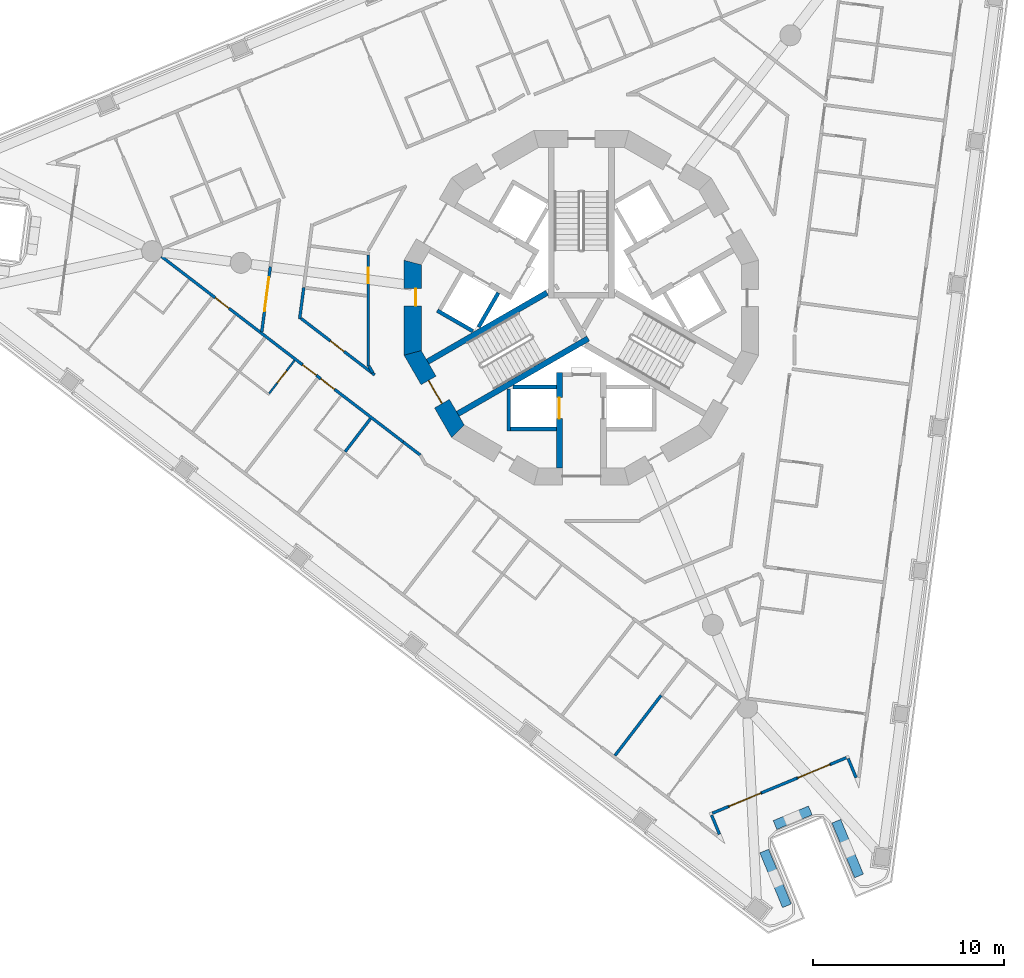
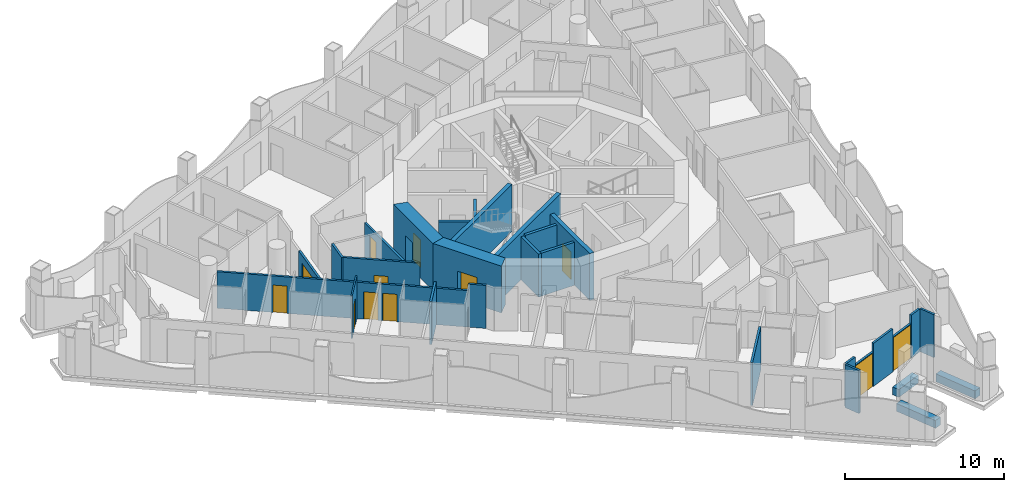
# One storey, part 3 of 17: 30 walls, 12 doors, 12 openings.
"""IFC4 building model written with IfcOpenShell, lengths in metres."""

import ifcopenshell
import ifcopenshell.guid

model = None  # the IFC model being written
_history = None  # IfcOwnerHistory: only IFC2X3 demands one
_inside = {}  # id of a spatial element -> (the spatial element, [elements in it])
_under = {}  # id of a project, library or spatial element -> (it, [spatial elements below it])
_declared = {}  # id of a project -> (the project, [libraries it declares])
_typed = {}  # id of a type object -> (the type object, [elements of that type])
_made_of = {}  # id of a material, layer set ... -> (it, [elements and type objects made of it])


def new_model(schema):
    """Start an empty IFC model of exactly this schema.

    Asked for "IFC4X3", IfcOpenShell would pick the latest addendum, in which some entities
    have other attributes; the version numbers below select the first issue.
    IFC2X3 requires an IfcOwnerHistory on every rooted entity: one is made here for all.
    """
    global model, _history
    if schema == "IFC4X3":
        model = ifcopenshell.file(schema_version=(4, 3, 0, 0))
    else:
        model = ifcopenshell.file(schema=schema)
    _inside.clear()
    _under.clear()
    _declared.clear()
    _typed.clear()
    _made_of.clear()
    _history = None
    if model.schema == "IFC2X3":
        org = make("IfcOrganization", Name="unknown")
        user = make(
            "IfcPersonAndOrganization",
            ThePerson=make("IfcPerson", FamilyName="unknown"),
            TheOrganization=org,
        )
        app = make(
            "IfcApplication",
            ApplicationDeveloper=org,
            Version="unknown",
            ApplicationFullName="unknown",
            ApplicationIdentifier="unknown",
        )
        _history = make(
            "IfcOwnerHistory",
            OwningUser=user,
            OwningApplication=app,
            ChangeAction="ADDED",
            CreationDate=0,
        )
    return model


def make(cls, **values):
    """One entity of the class cls with the attributes given. An attribute that is None is left unset."""
    return model.create_entity(
        cls, **{name: value for name, value in values.items() if value is not None}
    )


def rooted(cls, **values):
    """An entity with a GlobalId (a new one), such as an element, a storey or a relation."""
    return make(cls, GlobalId=ifcopenshell.guid.new(), OwnerHistory=_history, **values)


def si_unit(unit_type, name, prefix=None):
    """IfcSIUnit, for example si_unit("LENGTHUNIT", "METRE", prefix="MILLI")."""
    return make("IfcSIUnit", UnitType=unit_type, Prefix=prefix, Name=name)


def assignment(units):
    """IfcUnitAssignment: the units of a project."""
    return None if units is None else make("IfcUnitAssignment", Units=units)


def point(xyz):
    """IfcCartesianPoint."""
    return None if xyz is None else make("IfcCartesianPoint", Coordinates=xyz)


def direction(xyz):
    """IfcDirection."""
    return None if xyz is None else make("IfcDirection", DirectionRatios=xyz)


def frame(location, z_axis=None, x_axis=None):
    """IfcAxis2Placement3D, a coordinate frame: its origin and axes. An axis left out is left unset."""
    return make(
        "IfcAxis2Placement3D",
        Location=point(location),
        Axis=direction(z_axis),
        RefDirection=direction(x_axis),
    )


def frame_2d(location, x_axis=None):
    """IfcAxis2Placement2D, a coordinate frame in the plane: its origin and x axis."""
    return make(
        "IfcAxis2Placement2D", Location=point(location), RefDirection=direction(x_axis)
    )


def origin():
    """The frame at (0, 0, 0) with its axes left unset."""
    return frame((0.0, 0.0, 0.0))


def place(relative_to, where):
    """IfcLocalPlacement: puts the frame where relative to a parent placement (None: the world)."""
    return make(
        "IfcLocalPlacement", PlacementRelTo=relative_to, RelativePlacement=where
    )


def context(
    kind, dimensions, precision=None, world=None, true_north=None, identifier=None
):
    """IfcGeometricRepresentationContext, for example the 3D "Model" context."""
    return make(
        "IfcGeometricRepresentationContext",
        ContextIdentifier=identifier,
        ContextType=kind,
        CoordinateSpaceDimension=dimensions,
        Precision=precision,
        WorldCoordinateSystem=world,
        TrueNorth=true_north,
    )


def subcontext(parent, identifier, kind, view, scale=None):
    """IfcGeometricRepresentationSubContext, for example "Body" below "Model"."""
    return make(
        "IfcGeometricRepresentationSubContext",
        ContextIdentifier=identifier,
        ContextType=kind,
        ParentContext=parent,
        TargetScale=scale,
        TargetView=view,
    )


def project(units=None, contexts=None):
    """IfcProject with its units and contexts."""
    return rooted(
        "IfcProject",
        Name="project",
        RepresentationContexts=contexts,
        UnitsInContext=assignment(units),
    )


def spatial(cls, under=None, at=None, **own):
    """A site, building, storey or space (cls), placed at a placement, below another one or the project."""
    s = rooted(cls, ObjectPlacement=at, **own)
    if under is not None:
        _under.setdefault(under.id(), (under, []))[1].append(s)
    return s


def polyline(points):
    """IfcPolyline through the points."""
    return make("IfcPolyline", Points=[point(p) for p in points])


def profile(cls, at=None, kind="AREA", **sizes):
    """A parametric profile (cls). Its sizes go by their IFC names, for example OverallWidth=200.0."""
    return make(cls, ProfileType=kind, Position=at, **sizes)


def rectangle(**sizes):
    """IfcRectangleProfileDef."""
    return profile("IfcRectangleProfileDef", **sizes)


def outline(outer, holes=None, kind="AREA"):
    """IfcArbitraryClosedProfileDef: a profile drawn as a closed curve; with holes, ...WithVoids."""
    if holes is None:
        return make("IfcArbitraryClosedProfileDef", ProfileType=kind, OuterCurve=outer)
    return make(
        "IfcArbitraryProfileDefWithVoids",
        ProfileType=kind,
        OuterCurve=outer,
        InnerCurves=holes,
    )


def extrude(swept, where, along, depth):
    """IfcExtrudedAreaSolid: the profile swept, set in the frame where, extruded along a direction by depth."""
    return make(
        "IfcExtrudedAreaSolid",
        SweptArea=swept,
        Position=where,
        ExtrudedDirection=direction(along),
        Depth=depth,
    )


def shape(context_of_items, identifier, shape_type, items):
    """IfcShapeRepresentation: the items that make up one representation, for example the "Body"."""
    return make(
        "IfcShapeRepresentation",
        ContextOfItems=context_of_items,
        RepresentationIdentifier=identifier,
        RepresentationType=shape_type,
        Items=items,
    )


def material(Name=None, Category=None):
    """IfcMaterial."""
    return make("IfcMaterial", Name=Name, Category=Category)


def layer(
    of_material, thickness, ventilated=None, Name=None, Category=None, Priority=None
):
    """IfcMaterialLayer: one layer of a wall or slab, of a material (None: an air gap)."""
    return make(
        "IfcMaterialLayer",
        Material=of_material,
        LayerThickness=thickness,
        IsVentilated=ventilated,
        Name=Name,
        Category=Category,
        Priority=Priority,
    )


def layer_set(layers, Name=None):
    """IfcMaterialLayerSet."""
    return make("IfcMaterialLayerSet", MaterialLayers=layers, LayerSetName=Name)


def made_of(thing, what):
    """Note that an element or type object is made of a material, layer set ...; save() writes the relation."""
    if what is not None:
        _made_of.setdefault(what.id(), (what, []))[1].append(thing)
    return thing


def type_object(cls, material=None, **own):
    """A type object (cls), such as IfcWallType, which elements share."""
    return made_of(rooted(cls, **own), material)


def element(
    cls,
    number,
    at=None,
    inside=None,
    cuts=None,
    type_object=None,
    material=None,
    context=None,
    identifier="Body",
    shape_type=None,
    held_by="IfcProductDefinitionShape",
    body=None,
    shapes=None,
    **own,
):
    """One element of the class cls, such as IfcWall. Its Tag is "e" and its number.

    at: its placement. inside: the storey or other place that contains it. cuts: it is an
    opening in that element (IfcRelVoidsElement). A single representation is given by context,
    identifier, shape_type and body (its items); several are given by shapes. held_by: the class
    of the entity that holds the representations. save() writes the other relations.
    """
    e = rooted(cls, Tag="e%d" % number, ObjectPlacement=at, **own)
    if body is not None:
        shapes = [shape(context, identifier, shape_type, body)]
    if shapes is not None:
        e.Representation = make(held_by, Representations=shapes)
    if inside is not None:
        _inside.setdefault(inside.id(), (inside, []))[1].append(e)
    if cuts is not None:
        rooted(
            "IfcRelVoidsElement", RelatingBuildingElement=cuts, RelatedOpeningElement=e
        )
    if type_object is not None:
        _typed.setdefault(type_object.id(), (type_object, []))[1].append(e)
    return made_of(e, material)


def fill(opening, filler):
    """IfcRelFillsElement: the door or window that sits in an opening."""
    return rooted(
        "IfcRelFillsElement",
        RelatingOpeningElement=opening,
        RelatedBuildingElement=filler,
    )


def aggregate(whole, parts):
    """IfcRelAggregates: a whole, such as a stair, and the parts it consists of."""
    return rooted("IfcRelAggregates", RelatingObject=whole, RelatedObjects=parts)


def save(model, path):
    """Write the relations noted so far, then the file.

    IfcRelAggregates (storeys below a building ...), IfcRelContainedInSpatialStructure (elements
    in a storey), IfcRelDefinesByType, IfcRelAssociatesMaterial and IfcRelDeclares: one each for
    every whole, place, type object, material and project.
    """
    for whole, parts in _under.values():
        aggregate(whole, parts)
    for where, things in _inside.values():
        rooted(
            "IfcRelContainedInSpatialStructure",
            RelatedElements=things,
            RelatingStructure=where,
        )
    for kind, things in _typed.values():
        rooted("IfcRelDefinesByType", RelatedObjects=things, RelatingType=kind)
    for what, things in _made_of.values():
        rooted("IfcRelAssociatesMaterial", RelatedObjects=things, RelatingMaterial=what)
    for by, libraries in _declared.values():
        rooted("IfcRelDeclares", RelatingContext=by, RelatedDefinitions=libraries)
    model.write(path)


model = new_model("IFC4")

# Units and contexts
model_context = context("Model", 3, precision=1e-05, world=origin(), true_north=direction((0.0, 1.0)))
body_context = subcontext(model_context, "Body", "Model", "MODEL_VIEW")
ifc_project = project(units=[si_unit("LENGTHUNIT", "METRE"), si_unit("AREAUNIT", "SQUARE_METRE"), si_unit("VOLUMEUNIT", "CUBIC_METRE"), si_unit("PLANEANGLEUNIT", "RADIAN"), si_unit("MASSUNIT", "GRAM", prefix="KILO")], contexts=[model_context])

# Site, building, storey
site_placement = place(None, origin())
site = spatial("IfcSite", under=ifc_project, at=site_placement, CompositionType="ELEMENT")
building_placement = place(site_placement, origin())
building = spatial("IfcBuilding", under=site, at=building_placement, Name="Trine Commons Tower", CompositionType="ELEMENT")
storey_placement = place(building_placement, frame((0.0, 0.0, 135.0)))
storey = spatial("IfcBuildingStorey", under=building, at=storey_placement, Name="L34", CompositionType="ELEMENT", Elevation=135.0)

# Walls
ifc_material_1 = material(Name="Aluminium-framed insulated wall panel", Category="aluminium")
ifc_layer_1 = layer(ifc_material_1, 0.14990234375)
ifc_layer_set_1 = layer_set([ifc_layer_1], Name="Aluminium-framed insulated wall panel")
wall_type_1 = type_object("IfcWallType", Name="Glazed frame wall 150, EI 60", PredefinedType="SOLIDWALL", material=ifc_layer_set_1)
wall_1_placement = place(storey_placement, frame((94.42041015625, 37.78564453125, 0.0), z_axis=(0.0, 0.0, 1.0), x_axis=(-0.382629665579, 0.923901801611, 0.0)))
element("IfcWall", 1, at=wall_1_placement, inside=storey, type_object=wall_type_1, Name="Glazed frame wall R9", PredefinedType="SOLIDWALL", context=body_context, shape_type="SweptSolid", body=[
    extrude(outline(polyline([(0.1494140625, 0.074951171875), (0.1494140625, -0.074951171875), (1.235107421875, -0.074951171875), (1.235107421875, 0.074951171875), (0.1494140625, 0.074951171875)])), origin(), (0.0, 0.0, 1.0), 3.300048828125),
])
wall_2_placement = place(storey_placement, frame((93.951416015625, 39.009521484375, 0.0), z_axis=(0.0, 0.0, 1.0), x_axis=(-0.923826362943, -0.382811769845, 0.0)))
element("IfcWall", 2, at=wall_2_placement, inside=storey, type_object=wall_type_1, Name="Glazed frame wall P3.1", PredefinedType="SOLIDWALL", context=body_context, shape_type="SweptSolid", body=[
    extrude(outline(polyline([(0.110107421875, -0.074951171875), (1.0, -0.074951171875), (1.0, 0.074951171875), (0.110107421875, 0.074951171875), (0.110107421875, -0.074951171875)])), origin(), (0.0, 0.0, 1.0), 3.300048828125),
])

# Wall, opening, door
wall_3_placement = place(storey_placement, frame((93.027587890625, 38.626708984375, 0.0), z_axis=(0.0, 0.0, 1.0), x_axis=(-0.923888414498, -0.382661988648, 0.0)))
wall_3 = element("IfcWall", 3, at=wall_3_placement, inside=storey, type_object=wall_type_1, Name="Glazed frame wall P3.2", PredefinedType="SOLIDWALL", context=body_context, shape_type="SweptSolid", body=[
    extrude(outline(polyline([(0.0, -0.074951171875), (1.89990234375, -0.074951171875), (1.89990234375, 0.074951171875), (0.0, 0.074951171875), (0.0, -0.074951171875)])), origin(), (0.0, 0.0, 1.0), 2.64990234375),
])
opening_1_placement = place(wall_3_placement, frame((0.050048828125, 0.0, 0.0)))
opening_1 = element("IfcOpeningElement", 4, at=opening_1_placement, cuts=wall_3, Name="Opening BD-4P3-01", PredefinedType="OPENING", context=body_context, shape_type="SweptSolid", body=[
    extrude(rectangle(XDim=1.800048828125, YDim=2.60009765625, at=frame_2d((0.89990234375, 1.300048828125))), frame((0.0, 0.0849609375, 0.0), z_axis=(0.0, -1.0, 0.0), x_axis=(1.0, 0.0, 0.0)), (0.0, 0.0, 1.0), 0.169921875),
])
ifc_material_2 = material(Name="Anodised aluminium frame with double glazing", Category="aluminium")
door_type_1 = type_object("IfcDoorType", Name="Sliding loggia door 1800x2600", OperationType="SLIDING_TO_LEFT", PredefinedType="DOOR", material=ifc_material_2)
door_1_placement = place(opening_1_placement, origin())
door_1 = element("IfcDoor", 5, at=door_1_placement, inside=storey, type_object=door_type_1, Name="Loggia door P3 1", OperationType="SLIDING_TO_LEFT", OverallHeight=2.60009765625, OverallWidth=1.800048828125, PredefinedType="DOOR", context=body_context, shape_type="SweptSolid", body=[
    extrude(rectangle(XDim=1.800048828125, YDim=2.60009765625, at=frame_2d((0.89990234375, 1.300048828125))), frame((0.0, 0.02490234375, 0.0), z_axis=(0.0, -1.0, 0.0), x_axis=(1.0, 0.0, 0.0)), (0.0, 0.0, 1.0), 0.050048828125),
])
fill(opening_1, door_1)

# Wall
wall_4_placement = place(storey_placement, frame((91.272216796875, 37.899658203125, 0.0), z_axis=(0.0, 0.0, 1.0), x_axis=(-0.923887406181, -0.382664423091, 0.0)))
element("IfcWall", 6, at=wall_4_placement, inside=storey, type_object=wall_type_1, Name="Glazed frame wall P3.3", PredefinedType="SOLIDWALL", context=body_context, shape_type="SweptSolid", body=[
    extrude(outline(polyline([(0.0, -0.074951171875), (2.0, -0.074951171875), (2.0, 0.074951171875), (0.0, 0.074951171875), (0.0, -0.074951171875)])), origin(), (0.0, 0.0, 1.0), 3.300048828125),
])

# Wall, opening, door
wall_5_placement = place(storey_placement, frame((89.42431640625, 37.13427734375, 0.0), z_axis=(0.0, 0.0, 1.0), x_axis=(-0.923869595408, -0.382707421773, 0.0)))
wall_5 = element("IfcWall", 7, at=wall_5_placement, inside=storey, type_object=wall_type_1, Name="Glazed frame wall P3.4", PredefinedType="SOLIDWALL", context=body_context, shape_type="SweptSolid", body=[
    extrude(outline(polyline([(0.0, -0.074951171875), (1.89990234375, -0.074951171875), (1.89990234375, 0.074951171875), (0.0, 0.074951171875), (0.0, -0.074951171875)])), origin(), (0.0, 0.0, 1.0), 2.64990234375),
])
opening_2_placement = place(wall_5_placement, frame((0.050048828125, 0.0, 0.0)))
opening_2 = element("IfcOpeningElement", 8, at=opening_2_placement, cuts=wall_5, Name="Opening BD-4P3-02", PredefinedType="OPENING", context=body_context, shape_type="SweptSolid", body=[
    extrude(rectangle(XDim=1.800048828125, YDim=2.60009765625, at=frame_2d((0.89990234375, 1.300048828125))), frame((0.0, 0.0849609375, 0.0), z_axis=(0.0, -1.0, 0.0), x_axis=(1.0, 0.0, 0.0)), (0.0, 0.0, 1.0), 0.169921875),
])
door_2_placement = place(opening_2_placement, origin())
door_2 = element("IfcDoor", 9, at=door_2_placement, inside=storey, type_object=door_type_1, Name="Loggia door P3 2", OperationType="SLIDING_TO_LEFT", OverallHeight=2.60009765625, OverallWidth=1.800048828125, PredefinedType="DOOR", context=body_context, shape_type="SweptSolid", body=[
    extrude(rectangle(XDim=1.800048828125, YDim=2.60009765625, at=frame_2d((0.89990234375, 1.300048828125))), frame((0.0, 0.02490234375, 0.0), z_axis=(0.0, -1.0, 0.0), x_axis=(1.0, 0.0, 0.0)), (0.0, 0.0, 1.0), 0.050048828125),
])
fill(opening_2, door_2)

# Walls
wall_6_placement = place(storey_placement, frame((87.669189453125, 36.4072265625, 0.0), z_axis=(0.0, 0.0, 1.0), x_axis=(-0.923862128325, -0.382725447084, 0.0)))
element("IfcWall", 10, at=wall_6_placement, inside=storey, type_object=wall_type_1, Name="Glazed frame wall P3.5", PredefinedType="SOLIDWALL", context=body_context, shape_type="SweptSolid", body=[
    extrude(outline(polyline([(0.889892578125, 0.074951171875), (0.0, 0.074951171875), (0.0, -0.074951171875), (0.889892578125, -0.074951171875), (0.889892578125, 0.074951171875)])), origin(), (0.0, 0.0, 1.0), 3.300048828125),
])
wall_7_placement = place(storey_placement, frame((86.76416015625, 36.0703125, 0.0), z_axis=(0.0, 0.0, 1.0), x_axis=(0.382629665579, -0.923901801611, 0.0)))
element("IfcWall", 11, at=wall_7_placement, inside=storey, type_object=wall_type_1, Name="Glazed frame wall R11", PredefinedType="SOLIDWALL", context=body_context, shape_type="SweptSolid", body=[
    extrude(outline(polyline([(0.110107421875, 0.074951171875), (0.110107421875, -0.074951171875), (1.19580078125, -0.074951171875), (1.19580078125, 0.074951171875), (0.110107421875, 0.074951171875)])), origin(), (0.0, 0.0, 1.0), 3.300048828125),
])
ifc_material_3 = material(Name="Planter trough, precast concrete C40/50", Category="concrete")
ifc_layer_2 = layer(ifc_material_3, 0.5)
ifc_layer_set_2 = layer_set([ifc_layer_2], Name="Planter trough, precast concrete C40/50")
wall_type_2 = type_object("IfcWallType", Name="Planter trough 500x600", PredefinedType="PARAPET", material=ifc_layer_set_2)
wall_8_placement = place(storey_placement, frame((94.515625, 32.78662109375, 0.0), z_axis=(0.0, 0.0, 1.0), x_axis=(-0.382674068277, 0.923883411188, 0.0)))
element("IfcWall", 12, at=wall_8_placement, inside=storey, type_object=wall_type_2, Name="Planter 7", PredefinedType="PARAPET", context=body_context, shape_type="SweptSolid", body=[
    extrude(rectangle(XDim=3.099853515625, YDim=0.5, at=frame_2d((1.5498046875, 0.0))), origin(), (0.0, 0.0, 1.0), 0.60009765625),
])
wall_9_placement = place(storey_placement, frame((91.970703125, 36.21337890625, 0.0), z_axis=(0.0, 0.0, 1.0), x_axis=(-0.923930555985, -0.382560227567, 0.0)))
element("IfcWall", 13, at=wall_9_placement, inside=storey, type_object=wall_type_2, Name="Planter 8", PredefinedType="PARAPET", context=body_context, shape_type="SweptSolid", body=[
    extrude(rectangle(XDim=2.0, YDim=0.5, at=frame_2d((1.0, 0.0))), origin(), (0.0, 0.0, 1.0), 0.60009765625),
])
wall_10_placement = place(storey_placement, frame((89.56005859375, 34.08935546875, 0.0), z_axis=(0.0, 0.0, 1.0), x_axis=(0.382674068277, -0.923883411188, 0.0)))
element("IfcWall", 14, at=wall_10_placement, inside=storey, type_object=wall_type_2, Name="Planter 9", PredefinedType="PARAPET", context=body_context, shape_type="SweptSolid", body=[
    extrude(rectangle(XDim=3.099853515625, YDim=0.5, at=frame_2d((1.5498046875, 0.0))), origin(), (0.0, 0.0, 1.0), 0.60009765625),
])

# Wall, opening, door
ifc_material_4 = material(Name="Concrete C70/85", Category="concrete")
ifc_layer_3 = layer(ifc_material_4, 0.300048828125)
ifc_layer_set_3 = layer_set([ifc_layer_3], Name="Concrete C70/85")
wall_type_3 = type_object("IfcWallType", Name="RC shear wall 300 mm, C70/85", PredefinedType="SHEAR", material=ifc_layer_set_3)
wall_11_placement = place(storey_placement, frame((78.85009765625, 59.10009765625, 0.0), z_axis=(0.0, 0.0, 1.0), x_axis=(0.0, -1.0, 0.0)))
wall_11 = element("IfcWall", 15, at=wall_11_placement, inside=storey, type_object=wall_type_3, Name="Core cross wall SWB-03 L34", PredefinedType="SHEAR", context=body_context, shape_type="SweptSolid", body=[
    extrude(rectangle(XDim=4.97314453125, YDim=0.300048828125, at=frame_2d((2.486572265625, 0.0))), origin(), (0.0, 0.0, 1.0), 3.60009765625),
])
opening_3_placement = place(wall_11_placement, frame((1.300048828125, 0.0, 0.0)))
opening_3 = element("IfcOpeningElement", 16, at=opening_3_placement, cuts=wall_11, Name="Opening LD10", PredefinedType="OPENING", context=body_context, shape_type="SweptSolid", body=[
    extrude(rectangle(XDim=1.10009765625, YDim=2.10009765625, at=frame_2d((0.550048828125, 1.050048828125))), frame((0.0, 0.159912109375, 0.0), z_axis=(0.0, -1.0, 0.0), x_axis=(1.0, 0.0, 0.0)), (0.0, 0.0, 1.0), 0.320068359375),
])
ifc_material_5 = material(Name="Stainless steel sliding door leaves", Category="steel")
door_type_2 = type_object("IfcDoorType", Name="Lift landing door, centre-opening sliding 1100 x 2100, FD90", OperationType="DOUBLE_DOOR_SLIDING", PredefinedType="DOOR", material=ifc_material_5)
door_3_placement = place(opening_3_placement, origin())
door_3 = element("IfcDoor", 17, at=door_3_placement, inside=storey, type_object=door_type_2, Name="Lift landing door FF2 L34", OperationType="DOUBLE_DOOR_SLIDING", OverallHeight=2.10009765625, OverallWidth=1.10009765625, PredefinedType="DOOR", context=body_context, shape_type="SweptSolid", body=[
    extrude(rectangle(XDim=1.10009765625, YDim=2.10009765625, at=frame_2d((0.550048828125, 1.050048828125))), frame((0.0, 0.02490234375, 0.0), z_axis=(0.0, -1.0, 0.0), x_axis=(1.0, 0.0, 0.0)), (0.0, 0.0, 1.0), 0.050048828125),
])
fill(opening_3, door_3)

# Walls
wall_12_placement = place(storey_placement, frame((78.199951171875, 63.280029296875, 0.0), z_axis=(0.0, 0.0, 1.0), x_axis=(-0.866028135082, -0.499995269223, 0.0)))
element("IfcWall", 18, at=wall_12_placement, inside=storey, type_object=wall_type_3, Name="Core cross wall SWB-07 L34", PredefinedType="SHEAR", context=body_context, shape_type="SweptSolid", body=[
    extrude(rectangle(XDim=7.2041015625, YDim=0.300048828125, at=frame_2d((3.60205078125, 0.0))), origin(), (0.0, 0.0, 1.0), 3.60009765625),
])
wall_13_placement = place(storey_placement, frame((80.35400390625, 60.885986328125, 0.0), z_axis=(0.0, 0.0, 1.0), x_axis=(-0.866047706748, -0.499961368145, 0.0)))
element("IfcWall", 19, at=wall_13_placement, inside=storey, type_object=wall_type_3, Name="Core cross wall SWB-14 L34", PredefinedType="SHEAR", context=body_context, shape_type="SweptSolid", body=[
    extrude(rectangle(XDim=7.87255859375, YDim=0.300048828125, at=frame_2d((3.936279296875, 0.0))), origin(), (0.0, 0.0, 1.0), 3.60009765625),
])

# Wall, opening, door
ifc_layer_4 = layer(ifc_material_4, 0.89990234375)
ifc_layer_set_4 = layer_set([ifc_layer_4], Name="Concrete C70/85")
wall_type_4 = type_object("IfcWallType", Name="RC shear wall 900 mm, C70/85", PredefinedType="SHEAR", material=ifc_layer_set_4)
wall_14_placement = place(storey_placement, frame((71.177001953125, 64.984619140625, 0.0), z_axis=(0.0, 0.0, 1.0), x_axis=(0.0, -1.0, 0.0)))
wall_14 = element("IfcWall", 20, at=wall_14_placement, inside=storey, type_object=wall_type_4, Name="Core wall CWD-07 L34", PredefinedType="SHEAR", context=body_context, shape_type="SweptSolid", body=[
    extrude(outline(polyline([(0.0, -0.449951171875), (4.969482421875, -0.449951171875), (4.728271484375, 0.449951171875), (0.2412109375, 0.449951171875), (0.0, -0.449951171875)])), origin(), (0.0, 0.0, 1.0), 3.60009765625),
])
opening_4_placement = place(wall_14_placement, frame((1.49365234375, 0.0, 0.0)))
opening_4 = element("IfcOpeningElement", 21, at=opening_4_placement, cuts=wall_14, Name="Opening K09.13", PredefinedType="OPENING", context=body_context, shape_type="SweptSolid", body=[
    extrude(rectangle(XDim=0.89990234375, YDim=2.10009765625, at=frame_2d((0.449951171875, 1.050048828125))), frame((0.0, 0.4599609375, 0.0), z_axis=(0.0, -1.0, 0.0), x_axis=(1.0, 0.0, 0.0)), (0.0, 0.0, 1.0), 0.919921875),
])
ifc_material_6 = material(Name="Steel door leaf, fire-rated", Category="steel")
door_type_3 = type_object("IfcDoorType", Name="Core room door, single leaf 900 x 2100, FD30S", OperationType="SINGLE_SWING_LEFT", PredefinedType="DOOR", material=ifc_material_6)
door_4_placement = place(opening_4_placement, origin())
door_4 = element("IfcDoor", 22, at=door_4_placement, inside=storey, type_object=door_type_3, Name="Door to Parcel store L34", OperationType="SINGLE_SWING_LEFT", OverallHeight=2.10009765625, OverallWidth=0.89990234375, PredefinedType="DOOR", context=body_context, shape_type="SweptSolid", body=[
    extrude(rectangle(XDim=0.89990234375, YDim=2.10009765625, at=frame_2d((0.449951171875, 1.050048828125))), frame((0.0, 0.1748046875, 0.0), z_axis=(0.0, -1.0, 0.0), x_axis=(1.0, 0.0, 0.0)), (0.0, 0.0, 1.0), 0.050048828125),
])
fill(opening_4, door_4)

wall_15_placement = place(storey_placement, frame((71.11669921875, 60.240234375, 0.0), z_axis=(0.0, 0.0, 1.0), x_axis=(0.500038571144, -0.866003133579, 0.0)))
wall_15 = element("IfcWall", 23, at=wall_15_placement, inside=storey, type_object=wall_type_4, Name="Core wall CWD-08 L34", PredefinedType="SHEAR", context=body_context, shape_type="SweptSolid", body=[
    extrude(outline(polyline([(0.0, -0.449951171875), (4.96923828125, -0.449951171875), (4.72802734375, 0.449951171875), (0.2412109375, 0.449951171875), (0.0, -0.449951171875)])), origin(), (0.0, 0.0, 1.0), 3.60009765625),
])
opening_5_placement = place(wall_15_placement, frame((1.78466796875, 0.0, 0.0)))
opening_5 = element("IfcOpeningElement", 24, at=opening_5_placement, cuts=wall_15, Name="Opening K09.02", PredefinedType="OPENING", context=body_context, shape_type="SweptSolid", body=[
    extrude(rectangle(XDim=1.39990234375, YDim=2.10009765625, at=frame_2d((0.699951171875, 1.050048828125))), frame((0.0, 0.4599609375, 0.0), z_axis=(0.0, -1.0, 0.0), x_axis=(1.0, 0.0, 0.0)), (0.0, 0.0, 1.0), 0.919921875),
])
ifc_material_7 = material(Name="Steel door leaves, fire-rated", Category="steel")
door_type_4 = type_object("IfcDoorType", Name="Stair door, double leaf 1400 x 2100, FD90", OperationType="DOUBLE_DOOR_SINGLE_SWING", PredefinedType="DOOR", material=ifc_material_7)
door_5_placement = place(opening_5_placement, origin())
door_5 = element("IfcDoor", 25, at=door_5_placement, inside=storey, type_object=door_type_4, Name="Stair door to Exit stair ST2B L34", OperationType="DOUBLE_DOOR_SINGLE_SWING", OverallHeight=2.10009765625, OverallWidth=1.39990234375, PredefinedType="DOOR", context=body_context, shape_type="SweptSolid", body=[
    extrude(rectangle(XDim=1.39990234375, YDim=2.10009765625, at=frame_2d((0.699951171875, 1.050048828125))), frame((0.0, 0.02490234375, 0.0), z_axis=(0.0, -1.0, 0.0), x_axis=(1.0, 0.0, 0.0)), (0.0, 0.0, 1.0), 0.050048828125),
])
fill(opening_5, door_5)

# Walls
ifc_material_8 = material(Name="Fire-rated gypsum shaft wall system")
ifc_layer_5 = layer(ifc_material_8, 0.199951171875)
ifc_layer_set_5 = layer_set([ifc_layer_5], Name="Fire-rated gypsum shaft wall system")
wall_type_5 = type_object("IfcWallType", Name="Shaft wall 200 mm, EI 120", PredefinedType="PARTITIONING", material=ifc_layer_set_5)
wall_16_placement = place(storey_placement, frame((74.324951171875, 61.27392578125, 0.0), z_axis=(0.0, 0.0, 1.0), x_axis=(-0.866102336459, 0.499866725018, 0.0)))
element("IfcWall", 26, at=wall_16_placement, inside=storey, type_object=wall_type_5, Name="Shaft wall L34", PredefinedType="PARTITIONING", context=body_context, shape_type="SweptSolid", body=[
    extrude(rectangle(XDim=2.1484375, YDim=0.199951171875, at=frame_2d((1.07421875, 0.0))), origin(), (0.0, 0.0, 1.0), 3.300048828125),
])
wall_17_placement = place(storey_placement, frame((75.656005859375, 63.27587890625, 0.0), z_axis=(0.0, 0.0, 1.0), x_axis=(-0.500271688072, -0.86586848777, 0.0)))
element("IfcWall", 27, at=wall_17_placement, inside=storey, type_object=wall_type_5, Name="Shaft wall L34", PredefinedType="PARTITIONING", context=body_context, shape_type="SweptSolid", body=[
    extrude(rectangle(XDim=2.064697265625, YDim=0.199951171875, at=frame_2d((1.0322265625, 0.0))), origin(), (0.0, 0.0, 1.0), 3.300048828125),
])
wall_18_placement = place(storey_placement, frame((76.199951171875, 58.257080078125, 0.0), z_axis=(0.0, 0.0, 1.0), x_axis=(0.0, -1.0, 0.0)))
element("IfcWall", 28, at=wall_18_placement, inside=storey, type_object=wall_type_5, Name="Shaft wall L34", PredefinedType="PARTITIONING", context=body_context, shape_type="SweptSolid", body=[
    extrude(rectangle(XDim=2.20703125, YDim=0.199951171875, at=frame_2d((1.103515625, 0.0))), origin(), (0.0, 0.0, 1.0), 3.300048828125),
])
wall_19_placement = place(storey_placement, frame((78.699951171875, 56.14990234375, 0.0), z_axis=(0.0, 0.0, 1.0), x_axis=(-1.0, 0.0, 0.0)))
element("IfcWall", 29, at=wall_19_placement, inside=storey, type_object=wall_type_5, Name="Shaft wall L34", PredefinedType="PARTITIONING", context=body_context, shape_type="SweptSolid", body=[
    extrude(rectangle(XDim=2.39990234375, YDim=0.199951171875, at=frame_2d((1.199951171875, 0.0))), origin(), (0.0, 0.0, 1.0), 3.300048828125),
])
wall_20_placement = place(storey_placement, frame((78.699951171875, 58.35009765625, 0.0), z_axis=(0.0, 0.0, 1.0), x_axis=(-1.0, 0.0, 0.0)))
element("IfcWall", 30, at=wall_20_placement, inside=storey, type_object=wall_type_5, Name="Shaft wall L34", PredefinedType="PARTITIONING", context=body_context, shape_type="SweptSolid", body=[
    extrude(rectangle(XDim=2.264892578125, YDim=0.199951171875, at=frame_2d((1.13232421875, 0.0))), origin(), (0.0, 0.0, 1.0), 3.300048828125),
])

# Wall, openings, doors
ifc_material_9 = material(Name="Gypsum plasterboard on steel stud", Category="steel")
ifc_layer_6 = layer(ifc_material_9, 0.14990234375)
ifc_layer_set_6 = layer_set([ifc_layer_6], Name="Gypsum plasterboard on steel stud")
wall_type_6 = type_object("IfcWallType", Name="Unit and corridor wall 150 mm, EI 60", PredefinedType="PARTITIONING", material=ifc_layer_set_6)
wall_21_placement = place(storey_placement, frame((58.04150390625, 65.17626953125, 0.0), z_axis=(0.0, 0.0, 1.0), x_axis=(0.793414115855, -0.608682216565, 0.0)))
wall_21 = element("IfcWall", 31, at=wall_21_placement, inside=storey, type_object=wall_type_6, Name="Partition 005", PredefinedType="PARTITIONING", context=body_context, shape_type="SweptSolid", body=[
    extrude(rectangle(XDim=15.9873046875, YDim=0.14990234375, at=frame_2d((7.99365234375, 0.0))), origin(), (0.0, 0.0, 1.0), 2.800048828125),
])
opening_6_placement = place(wall_21_placement, frame((10.50634765625, 0.0, 0.0)))
opening_6 = element("IfcOpeningElement", 32, at=opening_6_placement, cuts=wall_21, Name="Opening D-4B25", PredefinedType="OPENING", context=body_context, shape_type="SweptSolid", body=[
    extrude(rectangle(XDim=0.89990234375, YDim=2.10009765625, at=frame_2d((0.449951171875, 1.050048828125))), frame((0.0, 0.0849609375, 0.0), z_axis=(0.0, -1.0, 0.0), x_axis=(1.0, 0.0, 0.0)), (0.0, 0.0, 1.0), 0.169921875),
])
opening_7_placement = place(wall_21_placement, frame((9.306396484375, 0.0, 0.0)))
opening_7 = element("IfcOpeningElement", 33, at=opening_7_placement, cuts=wall_21, Name="Opening D-4B26", PredefinedType="OPENING", context=body_context, shape_type="SweptSolid", body=[
    extrude(rectangle(XDim=0.89990234375, YDim=2.10009765625, at=frame_2d((0.449951171875, 1.050048828125))), frame((0.0, 0.0849609375, 0.0), z_axis=(0.0, -1.0, 0.0), x_axis=(1.0, 0.0, 0.0)), (0.0, 0.0, 1.0), 0.169921875),
])
opening_8_placement = place(wall_21_placement, frame((3.55126953125, 0.0, 0.0)))
opening_8 = element("IfcOpeningElement", 34, at=opening_8_placement, cuts=wall_21, Name="Opening D-4B27", PredefinedType="OPENING", context=body_context, shape_type="SweptSolid", body=[
    extrude(rectangle(XDim=0.89990234375, YDim=2.10009765625, at=frame_2d((0.449951171875, 1.050048828125))), frame((0.0, 0.0849609375, 0.0), z_axis=(0.0, -1.0, 0.0), x_axis=(1.0, 0.0, 0.0)), (0.0, 0.0, 1.0), 0.169921875),
])
ifc_material_10 = material(Name="Timber fire door set", Category="wood")
door_type_5 = type_object("IfcDoorType", Name="Bedroom door 900 x 2100, FD30S", OperationType="NOTDEFINED", PredefinedType="DOOR", material=ifc_material_10)
door_6_placement = place(opening_6_placement, frame((0.89990234375, 0.0, 0.0), z_axis=(0.0, 0.0, 1.0), x_axis=(-1.0, 0.0, 0.0)))
door_6 = element("IfcDoor", 35, at=door_6_placement, inside=storey, type_object=door_type_5, Name="Door D-4B25", OperationType="SINGLE_SWING_LEFT", OverallHeight=2.10009765625, OverallWidth=0.89990234375, PredefinedType="DOOR", context=body_context, shape_type="SweptSolid", body=[
    extrude(rectangle(XDim=0.89990234375, YDim=2.10009765625, at=frame_2d((0.449951171875, 1.050048828125))), frame((0.0, 0.02490234375, 0.0), z_axis=(0.0, -1.0, 0.0), x_axis=(1.0, 0.0, 0.0)), (0.0, 0.0, 1.0), 0.050048828125),
])
fill(opening_6, door_6)
door_7_placement = place(opening_7_placement, frame((0.89990234375, 0.0, 0.0), z_axis=(0.0, 0.0, 1.0), x_axis=(-1.0, 0.0, 0.0)))
door_7 = element("IfcDoor", 36, at=door_7_placement, inside=storey, type_object=door_type_5, Name="Door D-4B26", OperationType="SINGLE_SWING_LEFT", OverallHeight=2.10009765625, OverallWidth=0.89990234375, PredefinedType="DOOR", context=body_context, shape_type="SweptSolid", body=[
    extrude(rectangle(XDim=0.89990234375, YDim=2.10009765625, at=frame_2d((0.449951171875, 1.050048828125))), frame((0.0, 0.02490234375, 0.0), z_axis=(0.0, -1.0, 0.0), x_axis=(1.0, 0.0, 0.0)), (0.0, 0.0, 1.0), 0.050048828125),
])
fill(opening_7, door_7)
door_8_placement = place(opening_8_placement, frame((0.89990234375, 0.0, 0.0), z_axis=(0.0, 0.0, 1.0), x_axis=(-1.0, 0.0, 0.0)))
door_8 = element("IfcDoor", 37, at=door_8_placement, inside=storey, type_object=door_type_5, Name="Door D-4B27", OperationType="SINGLE_SWING_RIGHT", OverallHeight=2.10009765625, OverallWidth=0.89990234375, PredefinedType="DOOR", context=body_context, shape_type="SweptSolid", body=[
    extrude(rectangle(XDim=0.89990234375, YDim=2.10009765625, at=frame_2d((0.449951171875, 1.050048828125))), frame((0.0, 0.02490234375, 0.0), z_axis=(0.0, -1.0, 0.0), x_axis=(1.0, 0.0, 0.0)), (0.0, 0.0, 1.0), 0.050048828125),
])
fill(opening_8, door_8)

# Wall, opening, door
wall_22_placement = place(storey_placement, frame((63.286865234375, 61.2333984375, 0.0), z_axis=(0.0, 0.0, 1.0), x_axis=(0.130693367383, 0.991422838007, 0.0)))
wall_22 = element("IfcWall", 38, at=wall_22_placement, inside=storey, type_object=wall_type_6, Name="Partition 022", PredefinedType="PARTITIONING", context=body_context, shape_type="SweptSolid", body=[
    extrude(rectangle(XDim=3.437255859375, YDim=0.14990234375, at=frame_2d((1.71875, 0.0))), origin(), (0.0, 0.0, 1.0), 2.699951171875),
])
opening_9_placement = place(wall_22_placement, frame((1.0859375, 0.0, 0.0)))
opening_9 = element("IfcOpeningElement", 39, at=opening_9_placement, cuts=wall_22, Name="Opening D-4B03", PredefinedType="OPENING", context=body_context, shape_type="SweptSolid", body=[
    extrude(rectangle(XDim=1.800048828125, YDim=2.10009765625, at=frame_2d((0.89990234375, 1.050048828125))), frame((0.0, 0.0849609375, 0.0), z_axis=(0.0, -1.0, 0.0), x_axis=(1.0, 0.0, 0.0)), (0.0, 0.0, 1.0), 0.169921875),
])
door_type_6 = type_object("IfcDoorType", Name="Cluster entrance door 1800 x 2100, double leaf, FD30S", OperationType="DOUBLE_DOOR_DOUBLE_SWING", PredefinedType="DOOR", material=ifc_material_10)
door_9_placement = place(opening_9_placement, origin())
door_9 = element("IfcDoor", 40, at=door_9_placement, inside=storey, type_object=door_type_6, Name="Door D-4B03", OperationType="DOUBLE_DOOR_DOUBLE_SWING", OverallHeight=2.10009765625, OverallWidth=1.800048828125, PredefinedType="DOOR", context=body_context, shape_type="SweptSolid", body=[
    extrude(rectangle(XDim=1.800048828125, YDim=2.10009765625, at=frame_2d((0.89990234375, 1.050048828125))), frame((0.0, 0.02490234375, 0.0), z_axis=(0.0, -1.0, 0.0), x_axis=(1.0, 0.0, 0.0)), (0.0, 0.0, 1.0), 0.050048828125),
])
fill(opening_9, door_9)

# Wall
wall_23_placement = place(storey_placement, frame((65.26708984375, 61.91259765625, 0.0), z_axis=(0.0, 0.0, 1.0), x_axis=(0.130621934677, 0.991432251937, 0.0)))
element("IfcWall", 41, at=wall_23_placement, inside=storey, type_object=wall_type_6, Name="Partition 027", PredefinedType="PARTITIONING", context=body_context, shape_type="SweptSolid", body=[
    extrude(rectangle(XDim=1.65966796875, YDim=0.14990234375, at=frame_2d((0.829833984375, 0.0))), origin(), (0.0, 0.0, 1.0), 3.300048828125),
])

# Wall, opening, door
wall_24_placement = place(storey_placement, frame((65.33642578125, 61.94140625, 0.0), z_axis=(0.0, 0.0, 1.0), x_axis=(0.79340079326, -0.608699582105, 0.0)))
wall_24 = element("IfcWall", 42, at=wall_24_placement, inside=storey, type_object=wall_type_6, Name="Partition 028", PredefinedType="PARTITIONING", context=body_context, shape_type="SweptSolid", body=[
    extrude(rectangle(XDim=4.8564453125, YDim=0.14990234375, at=frame_2d((2.42822265625, 0.0))), origin(), (0.0, 0.0, 1.0), 3.300048828125),
])
opening_10_placement = place(wall_24_placement, frame((1.940185546875, 0.0, 0.0)))
opening_10 = element("IfcOpeningElement", 43, at=opening_10_placement, cuts=wall_24, Name="Opening D-4B30", PredefinedType="OPENING", context=body_context, shape_type="SweptSolid", body=[
    extrude(rectangle(XDim=0.89990234375, YDim=2.10009765625, at=frame_2d((0.449951171875, 1.050048828125))), frame((0.0, 0.0849609375, 0.0), z_axis=(0.0, -1.0, 0.0), x_axis=(1.0, 0.0, 0.0)), (0.0, 0.0, 1.0), 0.169921875),
])
door_type_7 = type_object("IfcDoorType", Name="Service door 900 x 2100, FD30S", OperationType="NOTDEFINED", PredefinedType="DOOR", material=ifc_material_10)
door_10_placement = place(opening_10_placement, origin())
door_10 = element("IfcDoor", 44, at=door_10_placement, inside=storey, type_object=door_type_7, Name="Door D-4B30", OperationType="SINGLE_SWING_LEFT", OverallHeight=2.10009765625, OverallWidth=0.89990234375, PredefinedType="DOOR", context=body_context, shape_type="SweptSolid", body=[
    extrude(rectangle(XDim=0.89990234375, YDim=2.10009765625, at=frame_2d((0.449951171875, 1.050048828125))), frame((0.0, 0.02490234375, 0.0), z_axis=(0.0, -1.0, 0.0), x_axis=(1.0, 0.0, 0.0)), (0.0, 0.0, 1.0), 0.050048828125),
])
fill(opening_10, door_10)

# Wall
wall_25_placement = place(storey_placement, frame((67.6474609375, 54.9697265625, 0.0), z_axis=(0.0, 0.0, 1.0), x_axis=(0.608674216197, 0.79342025342, 0.0)))
element("IfcWall", 45, at=wall_25_placement, inside=storey, type_object=wall_type_6, Name="Partition 036", PredefinedType="PARTITIONING", context=body_context, shape_type="SweptSolid", body=[
    extrude(rectangle(XDim=2.17529296875, YDim=0.14990234375, at=frame_2d((1.087646484375, 0.0))), origin(), (0.0, 0.0, 1.0), 3.300048828125),
])

# Wall, opening, door
wall_26_placement = place(storey_placement, frame((68.85205078125, 59.43798828125, 0.0), z_axis=(0.0, 0.0, 1.0), x_axis=(0.0, 1.0, 0.0)))
wall_26 = element("IfcWall", 46, at=wall_26_placement, inside=storey, type_object=wall_type_6, Name="Partition 038", PredefinedType="PARTITIONING", context=body_context, shape_type="SweptSolid", body=[
    extrude(rectangle(XDim=5.820068359375, YDim=0.14990234375, at=frame_2d((2.91015625, 0.0))), origin(), (0.0, 0.0, 1.0), 2.699951171875),
])
opening_11_placement = place(wall_26_placement, frame((4.345947265625, 0.0, 0.0)))
opening_11 = element("IfcOpeningElement", 47, at=opening_11_placement, cuts=wall_26, Name="Opening D-4B34", PredefinedType="OPENING", context=body_context, shape_type="SweptSolid", body=[
    extrude(rectangle(XDim=0.800048828125, YDim=2.10009765625, at=frame_2d((0.39990234375, 1.050048828125))), frame((0.0, 0.0849609375, 0.0), z_axis=(0.0, -1.0, 0.0), x_axis=(1.0, 0.0, 0.0)), (0.0, 0.0, 1.0), 0.169921875),
])
ifc_material_11 = material(Name="Painted timber", Category="wood")
door_type_8 = type_object("IfcDoorType", Name="Toilet door 800 x 2100, NOT RATED", OperationType="NOTDEFINED", PredefinedType="DOOR", material=ifc_material_11)
door_11_placement = place(opening_11_placement, origin())
door_11 = element("IfcDoor", 48, at=door_11_placement, inside=storey, type_object=door_type_8, Name="Door D-4B34", OperationType="SINGLE_SWING_RIGHT", OverallHeight=2.10009765625, OverallWidth=0.800048828125, PredefinedType="DOOR", context=body_context, shape_type="SweptSolid", body=[
    extrude(rectangle(XDim=0.800048828125, YDim=2.10009765625, at=frame_2d((0.39990234375, 1.050048828125))), frame((0.0, 0.02490234375, 0.0), z_axis=(0.0, -1.0, 0.0), x_axis=(1.0, 0.0, 0.0)), (0.0, 0.0, 1.0), 0.050048828125),
])
fill(opening_11, door_11)

# Walls
wall_27_placement = place(storey_placement, frame((68.889404296875, 59.447998046875, 0.0), z_axis=(0.0, 0.0, 1.0), x_axis=(0.499481060725, -0.866324806281, 0.0)))
element("IfcWall", 49, at=wall_27_placement, inside=storey, type_object=wall_type_6, Name="Partition 039", PredefinedType="PARTITIONING", context=body_context, shape_type="SweptSolid", body=[
    extrude(rectangle(XDim=0.40869140625, YDim=0.14990234375, at=frame_2d((0.204345703125, 0.0))), origin(), (0.0, 0.0, 1.0), 3.300048828125),
])
wall_28_placement = place(storey_placement, frame((70.680419921875, 55.4794921875, 0.0), z_axis=(0.0, 0.0, 1.0), x_axis=(0.793727683749, -0.60827326429, 0.0)))
element("IfcWall", 50, at=wall_28_placement, inside=storey, type_object=wall_type_6, Name="Partition 043", PredefinedType="PARTITIONING", context=body_context, shape_type="SweptSolid", body=[
    extrude(rectangle(XDim=1.133544921875, YDim=0.14990234375, at=frame_2d((0.56689453125, 0.0))), origin(), (0.0, 0.0, 1.0), 3.300048828125),
])
wall_29_placement = place(storey_placement, frame((81.75341796875, 39.07958984375, 0.0), z_axis=(0.0, 0.0, 1.0), x_axis=(0.608586492439, 0.793487543204, 0.0)))
element("IfcWall", 51, at=wall_29_placement, inside=storey, type_object=wall_type_6, Name="Partition 078", PredefinedType="PARTITIONING", context=body_context, shape_type="SweptSolid", body=[
    extrude(rectangle(XDim=3.968994140625, YDim=0.14990234375, at=frame_2d((1.984375, 0.0))), origin(), (0.0, 0.0, 1.0), 3.300048828125),
])

# Wall, opening, door
ifc_layer_7 = layer(ifc_material_9, 0.10009765625)
ifc_layer_set_7 = layer_set([ifc_layer_7], Name="Gypsum plasterboard on steel stud")
wall_type_7 = type_object("IfcWallType", Name="Unit partition 100 mm, no rating", PredefinedType="PARTITIONING", material=ifc_layer_set_7)
wall_30_placement = place(storey_placement, frame((63.676513671875, 58.0166015625, 0.0), z_axis=(0.0, 0.0, 1.0), x_axis=(0.608674216197, 0.79342025342, 0.0)))
wall_30 = element("IfcWall", 52, at=wall_30_placement, inside=storey, type_object=wall_type_7, Name="Partition 023", PredefinedType="PARTITIONING", context=body_context, shape_type="SweptSolid", body=[
    extrude(rectangle(XDim=2.17529296875, YDim=0.10009765625, at=frame_2d((1.087646484375, 0.0))), origin(), (0.0, 0.0, 1.0), 3.300048828125),
])
opening_12_placement = place(wall_30_placement, frame((0.6875, 0.0, 0.0)))
opening_12 = element("IfcOpeningElement", 53, at=opening_12_placement, cuts=wall_30, Name="Opening D-4B56", PredefinedType="OPENING", context=body_context, shape_type="SweptSolid", body=[
    extrude(rectangle(XDim=0.800048828125, YDim=2.10009765625, at=frame_2d((0.39990234375, 1.050048828125))), frame((0.0, 0.06005859375, 0.0), z_axis=(0.0, -1.0, 0.0), x_axis=(1.0, 0.0, 0.0)), (0.0, 0.0, 1.0), 0.1201171875),
])
door_type_9 = type_object("IfcDoorType", Name="Internal door 800 x 2100, NOT RATED", OperationType="NOTDEFINED", PredefinedType="DOOR", material=ifc_material_11)
door_12_placement = place(opening_12_placement, frame((0.800048828125, 0.0, 0.0), z_axis=(0.0, 0.0, 1.0), x_axis=(-1.0, 0.0, 0.0)))
door_12 = element("IfcDoor", 54, at=door_12_placement, inside=storey, type_object=door_type_9, Name="Door D-4B56", OperationType="SINGLE_SWING_LEFT", OverallHeight=2.10009765625, OverallWidth=0.800048828125, PredefinedType="DOOR", context=body_context, shape_type="SweptSolid", body=[
    extrude(rectangle(XDim=0.800048828125, YDim=2.10009765625, at=frame_2d((0.39990234375, 1.050048828125))), frame((0.0, 0.02490234375, 0.0), z_axis=(0.0, -1.0, 0.0), x_axis=(1.0, 0.0, 0.0)), (0.0, 0.0, 1.0), 0.050048828125),
])
fill(opening_12, door_12)

save(model, "model.ifc")
